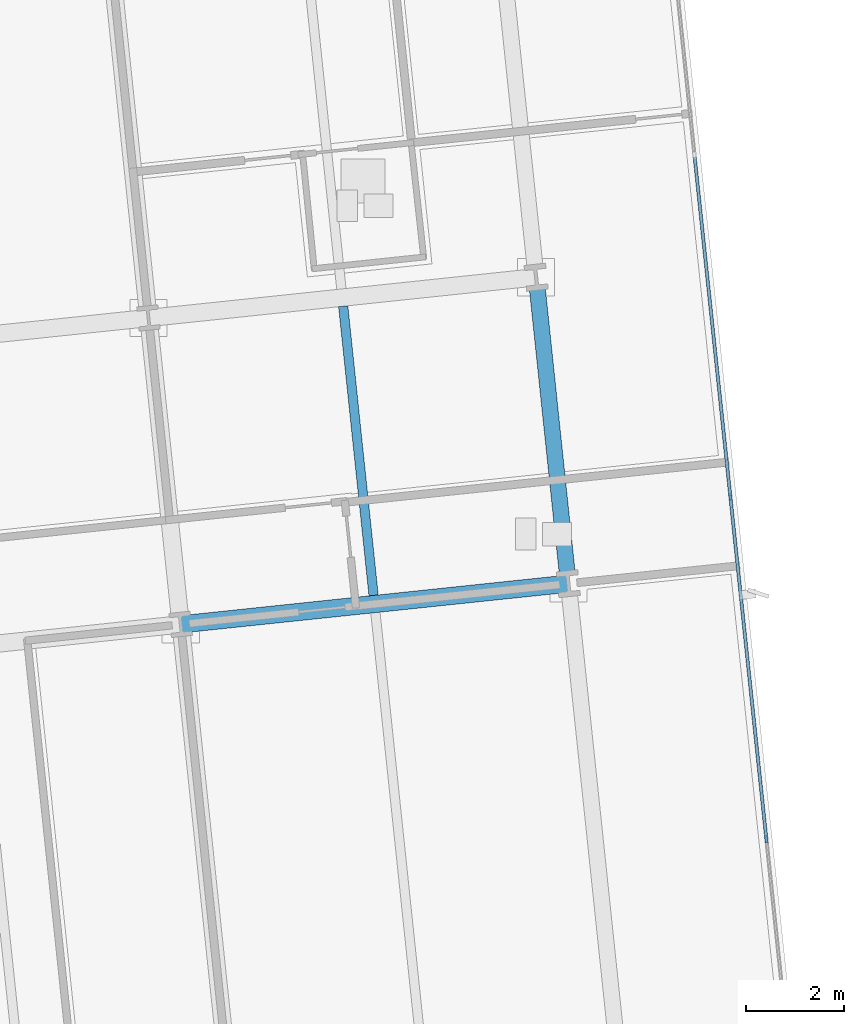
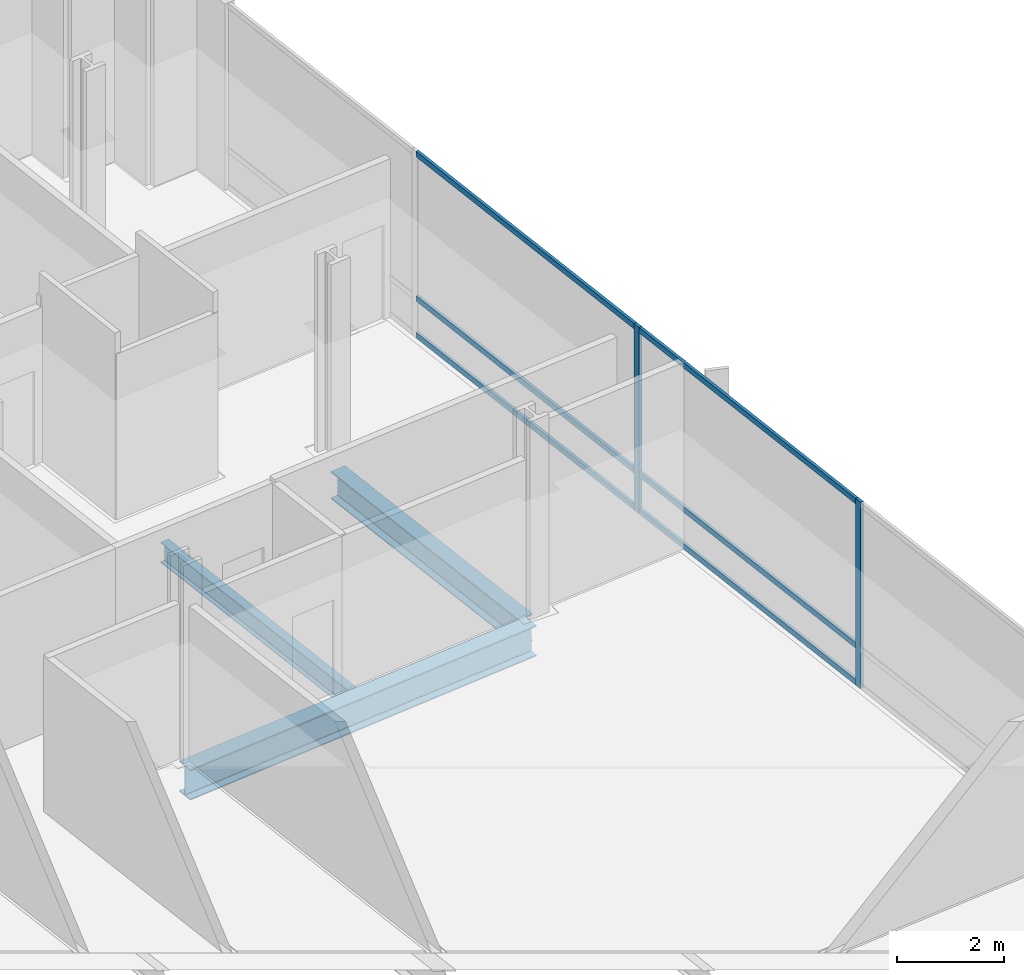
# One storey, part 8 of 20: 8 members, 3 beams, 1 element without a shape of its own.
"""IFC4 building model written with IfcOpenShell, lengths in metres."""

import ifcopenshell
import ifcopenshell.guid

model = None  # the IFC model being written
_history = None  # IfcOwnerHistory: only IFC2X3 demands one
_inside = {}  # id of a spatial element -> (the spatial element, [elements in it])
_under = {}  # id of a project, library or spatial element -> (it, [spatial elements below it])
_declared = {}  # id of a project -> (the project, [libraries it declares])
_typed = {}  # id of a type object -> (the type object, [elements of that type])
_made_of = {}  # id of a material, layer set ... -> (it, [elements and type objects made of it])


def new_model(schema):
    """Start an empty IFC model of exactly this schema.

    Asked for "IFC4X3", IfcOpenShell would pick the latest addendum, in which some entities
    have other attributes; the version numbers below select the first issue.
    IFC2X3 requires an IfcOwnerHistory on every rooted entity: one is made here for all.
    """
    global model, _history
    if schema == "IFC4X3":
        model = ifcopenshell.file(schema_version=(4, 3, 0, 0))
    else:
        model = ifcopenshell.file(schema=schema)
    _inside.clear()
    _under.clear()
    _declared.clear()
    _typed.clear()
    _made_of.clear()
    _history = None
    if model.schema == "IFC2X3":
        org = make("IfcOrganization", Name="unknown")
        user = make(
            "IfcPersonAndOrganization",
            ThePerson=make("IfcPerson", FamilyName="unknown"),
            TheOrganization=org,
        )
        app = make(
            "IfcApplication",
            ApplicationDeveloper=org,
            Version="unknown",
            ApplicationFullName="unknown",
            ApplicationIdentifier="unknown",
        )
        _history = make(
            "IfcOwnerHistory",
            OwningUser=user,
            OwningApplication=app,
            ChangeAction="ADDED",
            CreationDate=0,
        )
    return model


def make(cls, **values):
    """One entity of the class cls with the attributes given. An attribute that is None is left unset."""
    return model.create_entity(
        cls, **{name: value for name, value in values.items() if value is not None}
    )


def rooted(cls, **values):
    """An entity with a GlobalId (a new one), such as an element, a storey or a relation."""
    return make(cls, GlobalId=ifcopenshell.guid.new(), OwnerHistory=_history, **values)


def si_unit(unit_type, name, prefix=None):
    """IfcSIUnit, for example si_unit("LENGTHUNIT", "METRE", prefix="MILLI")."""
    return make("IfcSIUnit", UnitType=unit_type, Prefix=prefix, Name=name)


def assignment(units):
    """IfcUnitAssignment: the units of a project."""
    return None if units is None else make("IfcUnitAssignment", Units=units)


def point(xyz):
    """IfcCartesianPoint."""
    return None if xyz is None else make("IfcCartesianPoint", Coordinates=xyz)


def direction(xyz):
    """IfcDirection."""
    return None if xyz is None else make("IfcDirection", DirectionRatios=xyz)


def frame(location, z_axis=None, x_axis=None):
    """IfcAxis2Placement3D, a coordinate frame: its origin and axes. An axis left out is left unset."""
    return make(
        "IfcAxis2Placement3D",
        Location=point(location),
        Axis=direction(z_axis),
        RefDirection=direction(x_axis),
    )


def frame_2d(location, x_axis=None):
    """IfcAxis2Placement2D, a coordinate frame in the plane: its origin and x axis."""
    return make(
        "IfcAxis2Placement2D", Location=point(location), RefDirection=direction(x_axis)
    )


def origin():
    """The frame at (0, 0, 0) with its axes left unset."""
    return frame((0.0, 0.0, 0.0))


def origin_2d():
    """The frame at (0, 0) in the plane with its x axis left unset."""
    return frame_2d((0.0, 0.0))


def place(relative_to, where):
    """IfcLocalPlacement: puts the frame where relative to a parent placement (None: the world)."""
    return make(
        "IfcLocalPlacement", PlacementRelTo=relative_to, RelativePlacement=where
    )


def context(
    kind, dimensions, precision=None, world=None, true_north=None, identifier=None
):
    """IfcGeometricRepresentationContext, for example the 3D "Model" context."""
    return make(
        "IfcGeometricRepresentationContext",
        ContextIdentifier=identifier,
        ContextType=kind,
        CoordinateSpaceDimension=dimensions,
        Precision=precision,
        WorldCoordinateSystem=world,
        TrueNorth=true_north,
    )


def subcontext(parent, identifier, kind, view, scale=None):
    """IfcGeometricRepresentationSubContext, for example "Body" below "Model"."""
    return make(
        "IfcGeometricRepresentationSubContext",
        ContextIdentifier=identifier,
        ContextType=kind,
        ParentContext=parent,
        TargetScale=scale,
        TargetView=view,
    )


def project(units=None, contexts=None):
    """IfcProject with its units and contexts."""
    return rooted(
        "IfcProject",
        Name="project",
        RepresentationContexts=contexts,
        UnitsInContext=assignment(units),
    )


def spatial(cls, under=None, at=None, **own):
    """A site, building, storey or space (cls), placed at a placement, below another one or the project."""
    s = rooted(cls, ObjectPlacement=at, **own)
    if under is not None:
        _under.setdefault(under.id(), (under, []))[1].append(s)
    return s


def profile(cls, at=None, kind="AREA", **sizes):
    """A parametric profile (cls). Its sizes go by their IFC names, for example OverallWidth=200.0."""
    return make(cls, ProfileType=kind, Position=at, **sizes)


def rectangle(**sizes):
    """IfcRectangleProfileDef."""
    return profile("IfcRectangleProfileDef", **sizes)


def i_section(**sizes):
    """IfcIShapeProfileDef."""
    return profile("IfcIShapeProfileDef", **sizes)


def extrude(swept, where, along, depth):
    """IfcExtrudedAreaSolid: the profile swept, set in the frame where, extruded along a direction by depth."""
    return make(
        "IfcExtrudedAreaSolid",
        SweptArea=swept,
        Position=where,
        ExtrudedDirection=direction(along),
        Depth=depth,
    )


def shape(context_of_items, identifier, shape_type, items):
    """IfcShapeRepresentation: the items that make up one representation, for example the "Body"."""
    return make(
        "IfcShapeRepresentation",
        ContextOfItems=context_of_items,
        RepresentationIdentifier=identifier,
        RepresentationType=shape_type,
        Items=items,
    )


def material(Name=None, Category=None):
    """IfcMaterial."""
    return make("IfcMaterial", Name=Name, Category=Category)


def material_profile(
    of_material, cross_section, Name=None, Category=None, Priority=None
):
    """IfcMaterialProfile: a cross section and its material."""
    return make(
        "IfcMaterialProfile",
        Name=Name,
        Material=of_material,
        Profile=cross_section,
        Priority=Priority,
        Category=Category,
    )


def profile_set(profiles, Name=None, composite=None):
    """IfcMaterialProfileSet."""
    return make(
        "IfcMaterialProfileSet",
        Name=Name,
        MaterialProfiles=profiles,
        CompositeProfile=composite,
    )


def made_of(thing, what):
    """Note that an element or type object is made of a material, layer set ...; save() writes the relation."""
    if what is not None:
        _made_of.setdefault(what.id(), (what, []))[1].append(thing)
    return thing


def type_object(cls, material=None, **own):
    """A type object (cls), such as IfcWallType, which elements share."""
    return made_of(rooted(cls, **own), material)


def element(
    cls,
    number,
    at=None,
    inside=None,
    cuts=None,
    type_object=None,
    material=None,
    context=None,
    identifier="Body",
    shape_type=None,
    held_by="IfcProductDefinitionShape",
    body=None,
    shapes=None,
    **own,
):
    """One element of the class cls, such as IfcWall. Its Tag is "e" and its number.

    at: its placement. inside: the storey or other place that contains it. cuts: it is an
    opening in that element (IfcRelVoidsElement). A single representation is given by context,
    identifier, shape_type and body (its items); several are given by shapes. held_by: the class
    of the entity that holds the representations. save() writes the other relations.
    """
    e = rooted(cls, Tag="e%d" % number, ObjectPlacement=at, **own)
    if body is not None:
        shapes = [shape(context, identifier, shape_type, body)]
    if shapes is not None:
        e.Representation = make(held_by, Representations=shapes)
    if inside is not None:
        _inside.setdefault(inside.id(), (inside, []))[1].append(e)
    if cuts is not None:
        rooted(
            "IfcRelVoidsElement", RelatingBuildingElement=cuts, RelatedOpeningElement=e
        )
    if type_object is not None:
        _typed.setdefault(type_object.id(), (type_object, []))[1].append(e)
    return made_of(e, material)


def aggregate(whole, parts):
    """IfcRelAggregates: a whole, such as a stair, and the parts it consists of."""
    return rooted("IfcRelAggregates", RelatingObject=whole, RelatedObjects=parts)


def save(model, path):
    """Write the relations noted so far, then the file.

    IfcRelAggregates (storeys below a building ...), IfcRelContainedInSpatialStructure (elements
    in a storey), IfcRelDefinesByType, IfcRelAssociatesMaterial and IfcRelDeclares: one each for
    every whole, place, type object, material and project.
    """
    for whole, parts in _under.values():
        aggregate(whole, parts)
    for where, things in _inside.values():
        rooted(
            "IfcRelContainedInSpatialStructure",
            RelatedElements=things,
            RelatingStructure=where,
        )
    for kind, things in _typed.values():
        rooted("IfcRelDefinesByType", RelatedObjects=things, RelatingType=kind)
    for what, things in _made_of.values():
        rooted("IfcRelAssociatesMaterial", RelatedObjects=things, RelatingMaterial=what)
    for by, libraries in _declared.values():
        rooted("IfcRelDeclares", RelatingContext=by, RelatedDefinitions=libraries)
    model.write(path)


model = new_model("IFC4")

# Units and contexts
model_context = context("Model", 3, precision=1e-05, world=origin(), true_north=direction((0.0, 1.0)))
body_context = subcontext(model_context, "Body", "Model", "MODEL_VIEW")
ifc_project = project(units=[si_unit("LENGTHUNIT", "METRE"), si_unit("AREAUNIT", "SQUARE_METRE"), si_unit("VOLUMEUNIT", "CUBIC_METRE"), si_unit("PLANEANGLEUNIT", "RADIAN"), si_unit("MASSUNIT", "GRAM", prefix="KILO")], contexts=[model_context])

# Site, building, storey
site_placement = place(None, origin())
site = spatial("IfcSite", under=ifc_project, at=site_placement, CompositionType="ELEMENT")
building_placement = place(site_placement, origin())
building = spatial("IfcBuilding", under=site, at=building_placement, Name="Solmavex Isthmus Hotel", CompositionType="ELEMENT")
storey_placement = place(building_placement, frame((0.0, 0.0, 101.85009765625)))
storey = spatial("IfcBuildingStorey", under=building, at=storey_placement, Name="L27", CompositionType="ELEMENT", Elevation=101.85009765625)

# Beams
ifc_material_1 = material(Name="Steel ASTM A992 Grade 50", Category="steel")
ifc_material_profile_1 = material_profile(ifc_material_1, i_section(OverallWidth=0.354736328125, OverallDepth=0.695556640625, WebThickness=0.015380859375, FlangeThickness=0.02490234375, FilletRadius=0.017822265625, at=origin_2d()), Name="W27X146")
ifc_profile_set_1 = profile_set([ifc_material_profile_1], Name="Steel ASTM A992 Grade 50")
beam_type_1 = type_object("IfcBeamType", Name="BM-BG-W27X146", PredefinedType="BEAM", material=ifc_profile_set_1)
beam_1_placement = place(storey_placement, frame((21.2197265625, 5.658447265625, -0.60791015625), z_axis=(0.994523402738, 0.104514120609, 0.0), x_axis=(-0.104514120609, 0.994523402738, 0.0)))
element("IfcBeam", 1, at=beam_1_placement, inside=storey, type_object=beam_type_1, Name="Floor Girder L27-UG12", PredefinedType="BEAM", context=body_context, shape_type="SweptSolid", body=[
    extrude(i_section(OverallWidth=0.354736328125, OverallDepth=0.695556640625, WebThickness=0.015380859375, FlangeThickness=0.02490234375, FilletRadius=0.017822265625, at=origin_2d()), origin(), (0.0, 0.0, 1.0), 7.968017578125),
])
ifc_material_profile_2 = material_profile(ifc_material_1, i_section(OverallWidth=0.1904296875, OverallDepth=0.456787109375, WebThickness=0.009033203125, FlangeThickness=0.014404296875, FilletRadius=0.0126953125, at=origin_2d()), Name="W18X50")
ifc_profile_set_2 = profile_set([ifc_material_profile_2], Name="Steel ASTM A992 Grade 50")
beam_type_2 = type_object("IfcBeamType", Name="BM-BJ-W18X50", PredefinedType="JOIST", material=ifc_profile_set_2)
beam_2_placement = place(storey_placement, frame((25.163330078125, 6.251220703125, -0.488525390625), z_axis=(-0.104505160346, 0.994524344328, 0.0), x_axis=(-0.994524344328, -0.104505160346, 0.0)))
element("IfcBeam", 2, at=beam_2_placement, inside=storey, type_object=beam_type_2, Name="Secondary Floor Joist L27-J20", PredefinedType="JOIST", context=body_context, shape_type="SweptSolid", body=[
    extrude(i_section(OverallWidth=0.1904296875, OverallDepth=0.456787109375, WebThickness=0.009033203125, FlangeThickness=0.014404296875, FilletRadius=0.0126953125, at=origin_2d()), origin(), (0.0, 0.0, 1.0), 5.943115234375),
])
ifc_material_profile_3 = material_profile(ifc_material_1, i_section(OverallWidth=0.326416015625, OverallDepth=0.621826171875, WebThickness=0.015380859375, FlangeThickness=0.0244140625, FilletRadius=0.01513671875, at=origin_2d()), Name="W24X131")
ifc_profile_set_3 = profile_set([ifc_material_profile_3], Name="Steel ASTM A992 Grade 50")
beam_type_3 = type_object("IfcBeamType", Name="BM-SP-W24X131", PredefinedType="SPANDREL", material=ifc_profile_set_3)
beam_3_placement = place(storey_placement, frame((29.12548828125, 6.667724609375, -0.571044921875), z_axis=(-0.104505160346, 0.994524344328, 0.0), x_axis=(-0.994524344328, -0.104505160346, 0.0)))
element("IfcBeam", 3, at=beam_3_placement, inside=storey, type_object=beam_type_3, Name="Floor Beam L27-VG47", PredefinedType="SPANDREL", context=body_context, shape_type="SweptSolid", body=[
    extrude(i_section(OverallWidth=0.326416015625, OverallDepth=0.621826171875, WebThickness=0.015380859375, FlangeThickness=0.0244140625, FilletRadius=0.01513671875, at=origin_2d()), origin(), (0.0, 0.0, 1.0), 5.943115234375),
])

# Curtain wall, members
ifc_material_2 = material(Name="Aluminium alloy 6063-T6", Category="aluminium")
curtain_wall_type = type_object("IfcCurtainWallType", Name="CW-SYS-05", PredefinedType="NOTDEFINED", material=ifc_material_2)
curtain_wall_placement = place(storey_placement, origin())
curtain_wall = element("IfcCurtainWall", 4, at=curtain_wall_placement, inside=storey, type_object=curtain_wall_type, Name="Stick Curtain Wall CWL-L27-E1", PredefinedType="NOTDEFINED")
ifc_material_profile_4 = material_profile(ifc_material_2, rectangle(XDim=0.06494140625, YDim=0.159912109375, at=origin_2d()), Name="CWM-65X160")
ifc_profile_set_4 = profile_set([ifc_material_profile_4], Name="Aluminium alloy 6063-T6")
member_type_1 = type_object("IfcMemberType", Name="CW-SYS-05-MUL", PredefinedType="MULLION", material=ifc_profile_set_4)
member_1_placement = place(storey_placement, frame((33.19140625, 1.275634765625, 0.0), z_axis=(0.0, 0.0, 1.0), x_axis=(-0.994521893044, -0.104528485381, 0.0)))
member_1 = element("IfcMember", 5, at=member_1_placement, type_object=member_type_1, Name="CW-05 mullion 3", PredefinedType="MULLION", context=body_context, shape_type="SweptSolid", body=[
    extrude(rectangle(XDim=0.06494140625, YDim=0.159912109375, at=origin_2d()), origin(), (0.0, 0.0, 1.0), 4.239990234375),
])
member_2_placement = place(storey_placement, frame((32.45751953125, 8.25732421875, 0.0), z_axis=(0.0, 0.0, 1.0), x_axis=(-0.994521893044, -0.104528485381, 0.0)))
member_2 = element("IfcMember", 6, at=member_2_placement, type_object=member_type_1, Name="CW-05 mullion 4", PredefinedType="MULLION", context=body_context, shape_type="SweptSolid", body=[
    extrude(rectangle(XDim=0.06494140625, YDim=0.159912109375, at=origin_2d()), origin(), (0.0, 0.0, 1.0), 4.239990234375),
])
ifc_material_profile_5 = material_profile(ifc_material_2, rectangle(XDim=0.06494140625, YDim=0.125, at=origin_2d()), Name="CWT-65X125")
ifc_profile_set_5 = profile_set([ifc_material_profile_5], Name="Aluminium alloy 6063-T6")
member_type_2 = type_object("IfcMemberType", Name="CW-SYS-05-TRN", PredefinedType="USERDEFINED", material=ifc_profile_set_5)
member_3_placement = place(storey_placement, frame((33.18798828125, 1.30810546875, 0.0625), z_axis=(-0.104538598424, 0.994520830068, 0.0), x_axis=(-0.994520830068, -0.104538598424, 0.0)))
member_3 = element("IfcMember", 7, at=member_3_placement, type_object=member_type_2, Name="CW-05 transom 3.1", ObjectType="TRANSOM", PredefinedType="USERDEFINED", context=body_context, shape_type="SweptSolid", body=[
    extrude(rectangle(XDim=0.06494140625, YDim=0.125, at=origin_2d()), origin(), (0.0, 0.0, 1.0), 6.954833984375),
])
member_4_placement = place(storey_placement, frame((33.18798828125, 1.30810546875, 0.89990234375), z_axis=(-0.104538598424, 0.994520830068, 0.0), x_axis=(-0.994520830068, -0.104538598424, 0.0)))
member_4 = element("IfcMember", 8, at=member_4_placement, type_object=member_type_2, Name="CW-05 transom 3.2", ObjectType="TRANSOM", PredefinedType="USERDEFINED", context=body_context, shape_type="SweptSolid", body=[
    extrude(rectangle(XDim=0.06494140625, YDim=0.125, at=origin_2d()), origin(), (0.0, 0.0, 1.0), 6.954833984375),
])
member_5_placement = place(storey_placement, frame((33.18798828125, 1.30810546875, 4.177490234375), z_axis=(-0.104538598424, 0.994520830068, 0.0), x_axis=(-0.994520830068, -0.104538598424, 0.0)))
member_5 = element("IfcMember", 9, at=member_5_placement, type_object=member_type_2, Name="CW-05 transom 3.3", ObjectType="TRANSOM", PredefinedType="USERDEFINED", context=body_context, shape_type="SweptSolid", body=[
    extrude(rectangle(XDim=0.06494140625, YDim=0.125, at=origin_2d()), origin(), (0.0, 0.0, 1.0), 6.954833984375),
])
member_6_placement = place(storey_placement, frame((32.454345703125, 8.28955078125, 0.0625), z_axis=(-0.104534948973, 0.994521213672, 0.0), x_axis=(-0.994521213672, -0.104534948973, 0.0)))
member_6 = element("IfcMember", 10, at=member_6_placement, type_object=member_type_2, Name="CW-05 transom 4.1", ObjectType="TRANSOM", PredefinedType="USERDEFINED", context=body_context, shape_type="SweptSolid", body=[
    extrude(rectangle(XDim=0.06494140625, YDim=0.125, at=origin_2d()), origin(), (0.0, 0.0, 1.0), 6.955078125),
])
member_7_placement = place(storey_placement, frame((32.454345703125, 8.28955078125, 0.89990234375), z_axis=(-0.104534948973, 0.994521213672, 0.0), x_axis=(-0.994521213672, -0.104534948973, 0.0)))
member_7 = element("IfcMember", 11, at=member_7_placement, type_object=member_type_2, Name="CW-05 transom 4.2", ObjectType="TRANSOM", PredefinedType="USERDEFINED", context=body_context, shape_type="SweptSolid", body=[
    extrude(rectangle(XDim=0.06494140625, YDim=0.125, at=origin_2d()), origin(), (0.0, 0.0, 1.0), 6.955078125),
])
member_8_placement = place(storey_placement, frame((32.454345703125, 8.28955078125, 4.177490234375), z_axis=(-0.104534948973, 0.994521213672, 0.0), x_axis=(-0.994521213672, -0.104534948973, 0.0)))
member_8 = element("IfcMember", 12, at=member_8_placement, type_object=member_type_2, Name="CW-05 transom 4.3", ObjectType="TRANSOM", PredefinedType="USERDEFINED", context=body_context, shape_type="SweptSolid", body=[
    extrude(rectangle(XDim=0.06494140625, YDim=0.125, at=origin_2d()), origin(), (0.0, 0.0, 1.0), 6.955078125),
])
aggregate(curtain_wall, [member_1, member_2, member_3, member_4, member_5, member_6, member_7, member_8])

save(model, "model.ifc")
